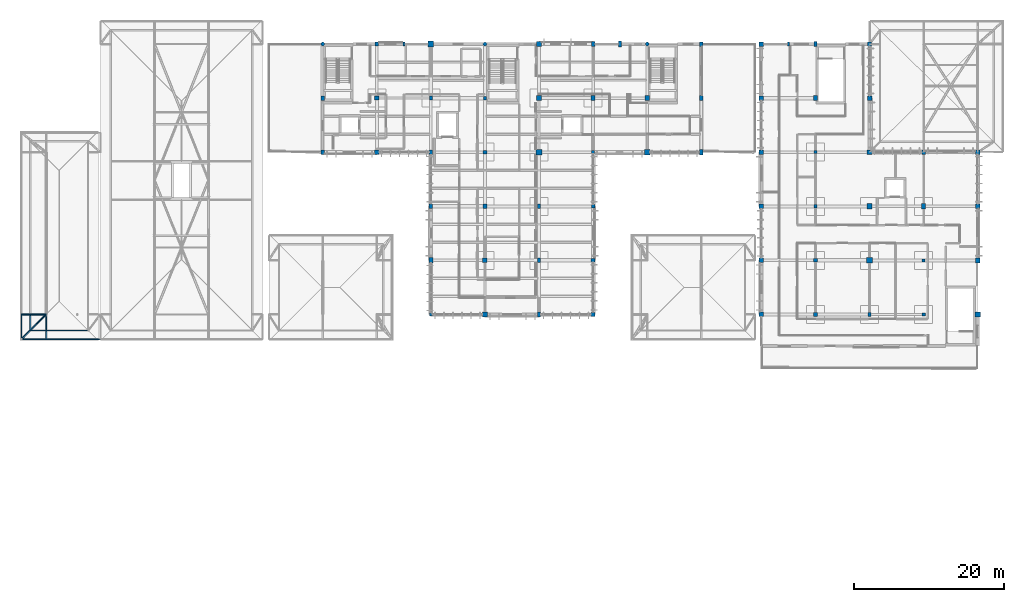
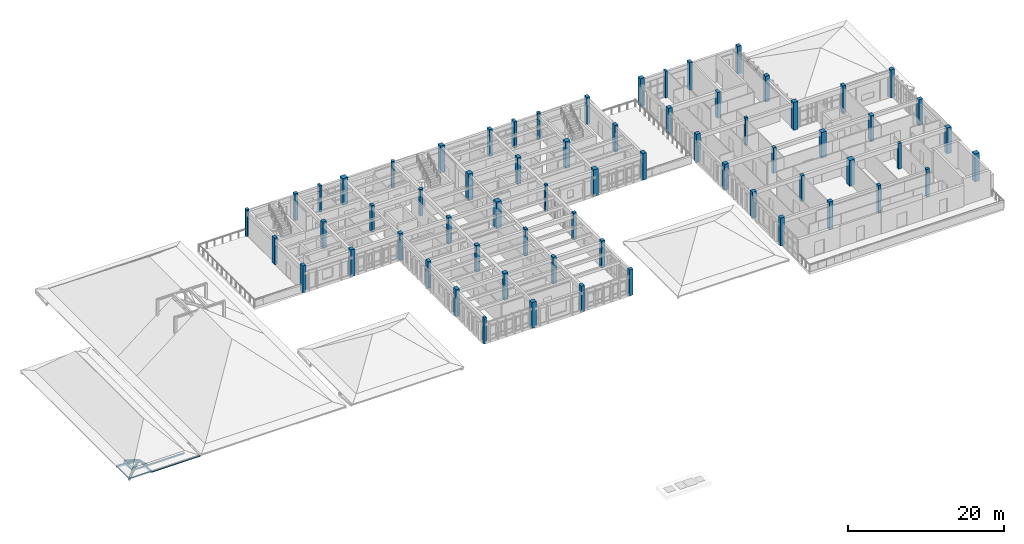
# One storey, part 1 of 51: 65 columns, 12 members.
"""IFC4 building model written with IfcOpenShell, lengths in metres."""

from ifc_helpers import new_model, si_unit, direction, frame, origin, origin_2d, place, context, subcontext, project, spatial, rectangle, hollow_rectangle, circle, i_section, extrude, material, material_profile, profile_set, type_object, element, save


model = new_model("IFC4")

# Units and contexts
model_context = context("Model", 3, precision=1e-05, world=origin(), true_north=direction((0.0, 1.0)))
body_context = subcontext(model_context, "Body", "Model", "MODEL_VIEW")
ifc_project = project(units=[si_unit("LENGTHUNIT", "METRE"), si_unit("AREAUNIT", "SQUARE_METRE"), si_unit("VOLUMEUNIT", "CUBIC_METRE"), si_unit("PLANEANGLEUNIT", "RADIAN"), si_unit("MASSUNIT", "GRAM", prefix="KILO")], contexts=[model_context])

# Site, building, storey
site_placement = place(None, origin())
site = spatial("IfcSite", under=ifc_project, at=site_placement, CompositionType="ELEMENT")
building_placement = place(site_placement, origin())
building = spatial("IfcBuilding", under=site, at=building_placement, Name="Steenspoor Specialist Clinic", CompositionType="ELEMENT")
storey_placement = place(building_placement, frame((0.0, 0.0, 17.39990234375)))
storey = spatial("IfcBuildingStorey", under=building, at=storey_placement, Name="L04", CompositionType="ELEMENT", Elevation=17.39990234375)

# Columns
ifc_material_1 = material(Name="Concrete C40/50", Category="concrete")
ifc_material_profile_1 = material_profile(ifc_material_1, rectangle(XDim=0.39990234375, YDim=0.39990234375, at=origin_2d()), Name="RC-COL-400X400")
ifc_profile_set_1 = profile_set([ifc_material_profile_1], Name="Concrete C40/50")
column_type_1 = type_object("IfcColumnType", Name="COL-RC-400", PredefinedType="COLUMN", material=ifc_profile_set_1)
column_1_placement = place(storey_placement, frame((74.0, 72.35009765625, 0.0), z_axis=(0.0, 0.0, 1.0), x_axis=(1.0, 0.0, 0.0)))
element("IfcColumn", 1, at=column_1_placement, inside=storey, type_object=column_type_1, Name="Column COL-L04-0275", PredefinedType="COLUMN", context=body_context, shape_type="SweptSolid", body=[
    extrude(rectangle(XDim=0.39990234375, YDim=0.39990234375, at=origin_2d()), origin(), (0.0, 0.0, 1.0), 4.050048828125),
])
column_2_placement = place(storey_placement, frame((95.60009765625, 93.949951171875, 0.0), z_axis=(0.0, 0.0, 1.0), x_axis=(1.0, 0.0, 0.0)))
element("IfcColumn", 2, at=column_2_placement, inside=storey, type_object=column_type_1, Name="Column COL-L04-0403", PredefinedType="COLUMN", context=body_context, shape_type="SweptSolid", body=[
    extrude(rectangle(XDim=0.39990234375, YDim=0.39990234375, at=origin_2d()), origin(), (0.0, 0.0, 1.0), 4.2001953125),
])
column_3_placement = place(storey_placement, frame((125.199951171875, 93.949951171875, 0.0), z_axis=(0.0, 0.0, 1.0), x_axis=(1.0, 0.0, 0.0)))
element("IfcColumn", 3, at=column_3_placement, inside=storey, type_object=column_type_1, Name="Column COL-L04-0700", PredefinedType="COLUMN", context=body_context, shape_type="SweptSolid", body=[
    extrude(rectangle(XDim=0.39990234375, YDim=0.39990234375, at=origin_2d()), origin(), (0.0, 0.0, 1.0), 4.360107421875),
])
column_4_placement = place(storey_placement, frame((139.60009765625, 79.550048828125, 0.0), z_axis=(0.0, 0.0, 1.0), x_axis=(1.0, 0.0, 0.0)))
element("IfcColumn", 4, at=column_4_placement, inside=storey, type_object=column_type_1, Name="Column COL-L04-0758", PredefinedType="COLUMN", context=body_context, shape_type="SweptSolid", body=[
    extrude(rectangle(XDim=0.39990234375, YDim=0.39990234375, at=origin_2d()), origin(), (0.0, 0.0, 1.0), 4.050048828125),
])
ifc_material_profile_2 = material_profile(ifc_material_1, rectangle(XDim=0.39990234375, YDim=0.550048828125, at=origin_2d()), Name="RC-COL-400X550")
ifc_profile_set_2 = profile_set([ifc_material_profile_2], Name="Concrete C40/50")
column_type_2 = type_object("IfcColumnType", Name="COL-RC-400X550", PredefinedType="COLUMN", material=ifc_profile_set_2)
for number, where, z_axis, x_axis, name in (
    (5, (74.0, 101.14990234375, 0.0), (0.0, 0.0, 1.0), (1.0, 0.0, 0.0), "Column COL-L04-0298"),
    (6, (88.39990234375, 86.75, 0.0), (0.0, 0.0, 1.0), (1.0, 0.0, 0.0), "Column COL-L04-0360"),
):
    element("IfcColumn", number, at=place(storey_placement, frame(where, z_axis=z_axis, x_axis=x_axis)), inside=storey, type_object=column_type_2, Name=name, PredefinedType="COLUMN", context=body_context, shape_type="SweptSolid", body=[
        extrude(rectangle(XDim=0.39990234375, YDim=0.550048828125, at=origin_2d()), origin(), (0.0, 0.0, 1.0), 4.2001953125),
    ])
column_5_placement = place(storey_placement, frame((132.39990234375, 72.35009765625, 0.0), z_axis=(0.0, 0.0, 1.0), x_axis=(1.0, 0.0, 0.0)))
element("IfcColumn", 7, at=column_5_placement, inside=storey, type_object=column_type_2, Name="Column COL-L04-0719", PredefinedType="COLUMN", context=body_context, shape_type="SweptSolid", body=[
    extrude(rectangle(XDim=0.39990234375, YDim=0.550048828125, at=origin_2d()), origin(), (0.0, 0.0, 1.0), 4.360107421875),
])
ifc_material_profile_3 = material_profile(ifc_material_1, rectangle(XDim=0.449951171875, YDim=0.449951171875, at=origin_2d()), Name="RC-COL-450X450")
ifc_profile_set_3 = profile_set([ifc_material_profile_3], Name="Concrete C40/50")
column_type_3 = type_object("IfcColumnType", Name="COL-RC-450", PredefinedType="COLUMN", material=ifc_profile_set_3)
for number, where, z_axis, x_axis, name in (
    (8, (81.199951171875, 101.14990234375, 0.0), (0.0, 0.0, 1.0), (1.0, 0.0, 0.0), "Column COL-L04-0335"),
    (9, (95.60009765625, 86.75, 0.0), (0.0, 0.0, 1.0), (1.0, 0.0, 0.0), "Column COL-L04-0397"),
):
    element("IfcColumn", number, at=place(storey_placement, frame(where, z_axis=z_axis, x_axis=x_axis)), inside=storey, type_object=column_type_3, Name=name, PredefinedType="COLUMN", context=body_context, shape_type="SweptSolid", body=[
        extrude(rectangle(XDim=0.449951171875, YDim=0.449951171875, at=origin_2d()), origin(), (0.0, 0.0, 1.0), 4.2001953125),
    ])
column_6_placement = place(storey_placement, frame((125.199951171875, 86.75, 0.0), z_axis=(0.0, 0.0, 1.0), x_axis=(1.0, 0.0, 0.0)))
element("IfcColumn", 10, at=column_6_placement, inside=storey, type_object=column_type_3, Name="Column COL-L04-0695", PredefinedType="COLUMN", context=body_context, shape_type="SweptSolid", body=[
    extrude(rectangle(XDim=0.449951171875, YDim=0.449951171875, at=origin_2d()), origin(), (0.0, 0.0, 1.0), 4.050048828125),
])
column_7_placement = place(storey_placement, frame((139.60009765625, 72.35009765625, 0.0), z_axis=(0.0, 0.0, 1.0), x_axis=(1.0, 0.0, 0.0)))
element("IfcColumn", 11, at=column_7_placement, inside=storey, type_object=column_type_3, Name="Column COL-L04-0753", PredefinedType="COLUMN", context=body_context, shape_type="SweptSolid", body=[
    extrude(rectangle(XDim=0.449951171875, YDim=0.449951171875, at=origin_2d()), origin(), (0.0, 0.0, 1.0), 4.360107421875),
])
ifc_material_profile_4 = material_profile(ifc_material_1, rectangle(XDim=0.449951171875, YDim=0.60009765625, at=origin_2d()), Name="RC-COL-450X600")
ifc_profile_set_4 = profile_set([ifc_material_profile_4], Name="Concrete C40/50")
column_type_4 = type_object("IfcColumnType", Name="COL-RC-450X600", PredefinedType="COLUMN", material=ifc_profile_set_4)
for number, where, z_axis, x_axis, name in (
    (12, (59.60009765625, 101.14990234375, 0.0), (0.0, 0.0, 1.0), (1.0, 0.0, 0.0), "Column COL-L04-0232"),
    (13, (74.0, 93.949951171875, 0.0), (0.0, 0.0, 1.0), (1.0, 0.0, 0.0), "Column COL-L04-0292"),
    (14, (88.39990234375, 79.550048828125, 0.0), (0.0, 0.0, 1.0), (1.0, 0.0, 0.0), "Column COL-L04-0354"),
    (15, (110.0, 108.35009765625, 0.0), (0.0, 0.0, 1.0), (1.0, 0.0, 0.0), "Column COL-L04-0477"),
):
    element("IfcColumn", number, at=place(storey_placement, frame(where, z_axis=z_axis, x_axis=x_axis)), inside=storey, type_object=column_type_4, Name=name, PredefinedType="COLUMN", context=body_context, shape_type="SweptSolid", body=[
        extrude(rectangle(XDim=0.449951171875, YDim=0.60009765625, at=origin_2d()), origin(), (0.0, 0.0, 1.0), 4.2001953125),
    ])
ifc_material_profile_5 = material_profile(ifc_material_1, rectangle(XDim=0.449951171875, YDim=0.64990234375, at=origin_2d()), Name="RC-COL-450X650")
ifc_profile_set_5 = profile_set([ifc_material_profile_5], Name="Concrete C40/50")
column_type_5 = type_object("IfcColumnType", Name="COL-RC-450X650", PredefinedType="COLUMN", material=ifc_profile_set_5)
for number, where, z_axis, x_axis, name in (
    (16, (59.60009765625, 93.949951171875, 0.0), (0.0, 0.0, 1.0), (1.0, 0.0, 0.0), "Column COL-L04-0226"),
    (17, (74.0, 86.75, 0.0), (0.0, 0.0, 1.0), (1.0, 0.0, 0.0), "Column COL-L04-0286"),
):
    element("IfcColumn", number, at=place(storey_placement, frame(where, z_axis=z_axis, x_axis=x_axis)), inside=storey, type_object=column_type_5, Name=name, PredefinedType="COLUMN", context=body_context, shape_type="SweptSolid", body=[
        extrude(rectangle(XDim=0.449951171875, YDim=0.64990234375, at=origin_2d()), origin(), (0.0, 0.0, 1.0), 4.2001953125),
    ])
column_8_placement = place(storey_placement, frame((88.39990234375, 72.35009765625, 0.0), z_axis=(0.0, 0.0, 1.0), x_axis=(1.0, 0.0, 0.0)))
element("IfcColumn", 18, at=column_8_placement, inside=storey, type_object=column_type_5, Name="Column COL-L04-0349", PredefinedType="COLUMN", context=body_context, shape_type="SweptSolid", body=[
    extrude(rectangle(XDim=0.449951171875, YDim=0.64990234375, at=origin_2d()), origin(), (0.0, 0.0, 1.0), 4.050048828125),
])
for number, where, z_axis, x_axis, name in (
    (19, (95.60009765625, 108.35009765625, 0.0), (0.0, 0.0, 1.0), (1.0, 0.0, 0.0), "Column COL-L04-0415"),
    (20, (110.0, 101.14990234375, 0.0), (0.0, 0.0, 1.0), (1.0, 0.0, 0.0), "Column COL-L04-0471"),
):
    element("IfcColumn", number, at=place(storey_placement, frame(where, z_axis=z_axis, x_axis=x_axis)), inside=storey, type_object=column_type_5, Name=name, PredefinedType="COLUMN", context=body_context, shape_type="SweptSolid", body=[
        extrude(rectangle(XDim=0.449951171875, YDim=0.64990234375, at=origin_2d()), origin(), (0.0, 0.0, 1.0), 4.2001953125),
    ])
for number, where, z_axis, x_axis, name in (
    (21, (125.199951171875, 108.35009765625, 0.0), (0.0, 0.0, 1.0), (1.0, 0.0, 0.0), "Column COL-L04-0710"),
    (22, (139.60009765625, 93.949951171875, 0.0), (0.0, 0.0, 1.0), (1.0, 0.0, 0.0), "Column COL-L04-0768"),
):
    element("IfcColumn", number, at=place(storey_placement, frame(where, z_axis=z_axis, x_axis=x_axis)), inside=storey, type_object=column_type_5, Name=name, PredefinedType="COLUMN", context=body_context, shape_type="SweptSolid", body=[
        extrude(rectangle(XDim=0.449951171875, YDim=0.64990234375, at=origin_2d()), origin(), (0.0, 0.0, 1.0), 4.360107421875),
    ])
ifc_material_profile_6 = material_profile(ifc_material_1, rectangle(XDim=0.5, YDim=0.5, at=origin_2d()), Name="RC-COL-500X500")
ifc_profile_set_6 = profile_set([ifc_material_profile_6], Name="Concrete C40/50")
column_type_6 = type_object("IfcColumnType", Name="COL-RC-500", PredefinedType="COLUMN", material=ifc_profile_set_6)
for number, where, z_axis, x_axis, name in (
    (23, (66.800048828125, 108.35009765625, 0.0), (0.0, 0.0, 1.0), (1.0, 0.0, 0.0), "Column COL-L04-0267"),
    (24, (81.199951171875, 93.949951171875, 0.0), (0.0, 0.0, 1.0), (1.0, 0.0, 0.0), "Column COL-L04-0329"),
    (25, (95.60009765625, 79.550048828125, 0.0), (0.0, 0.0, 1.0), (1.0, 0.0, 0.0), "Column COL-L04-0391"),
):
    element("IfcColumn", number, at=place(storey_placement, frame(where, z_axis=z_axis, x_axis=x_axis)), inside=storey, type_object=column_type_6, Name=name, PredefinedType="COLUMN", context=body_context, shape_type="SweptSolid", body=[
        extrude(rectangle(XDim=0.5, YDim=0.5, at=origin_2d()), origin(), (0.0, 0.0, 1.0), 4.2001953125),
    ])
column_9_placement = place(storey_placement, frame((125.199951171875, 79.550048828125, 0.0), z_axis=(0.0, 0.0, 1.0), x_axis=(1.0, 0.0, 0.0)))
element("IfcColumn", 26, at=column_9_placement, inside=storey, type_object=column_type_6, Name="Column COL-L04-0690", PredefinedType="COLUMN", context=body_context, shape_type="SweptSolid", body=[
    extrude(rectangle(XDim=0.5, YDim=0.5, at=origin_2d()), origin(), (0.0, 0.0, 1.0), 4.050048828125),
])
ifc_material_profile_7 = material_profile(ifc_material_1, rectangle(XDim=0.5, YDim=0.699951171875, at=origin_2d()), Name="RC-COL-500X700")
ifc_profile_set_7 = profile_set([ifc_material_profile_7], Name="Concrete C40/50")
column_type_7 = type_object("IfcColumnType", Name="COL-RC-500X700", PredefinedType="COLUMN", material=ifc_profile_set_7)
for number, where, z_axis, x_axis, name in (
    (27, (74.0, 79.550048828125, 0.0), (0.0, 0.0, 1.0), (1.0, 0.0, 0.0), "Column COL-L04-0280"),
    (28, (95.60009765625, 101.14990234375, 0.0), (0.0, 0.0, 1.0), (1.0, 0.0, 0.0), "Column COL-L04-0409"),
    (29, (110.0, 93.949951171875, 0.0), (0.0, 0.0, 1.0), (1.0, 0.0, 0.0), "Column COL-L04-0465"),
):
    element("IfcColumn", number, at=place(storey_placement, frame(where, z_axis=z_axis, x_axis=x_axis)), inside=storey, type_object=column_type_7, Name=name, PredefinedType="COLUMN", context=body_context, shape_type="SweptSolid", body=[
        extrude(rectangle(XDim=0.5, YDim=0.699951171875, at=origin_2d()), origin(), (0.0, 0.0, 1.0), 4.2001953125),
    ])
for number, where, z_axis, x_axis, name in (
    (30, (125.199951171875, 101.14990234375, 0.0), (0.0, 0.0, 1.0), (1.0, 0.0, 0.0), "Column COL-L04-0705"),
    (31, (139.60009765625, 86.75, 0.0), (0.0, 0.0, 1.0), (1.0, 0.0, 0.0), "Column COL-L04-0763"),
):
    element("IfcColumn", number, at=place(storey_placement, frame(where, z_axis=z_axis, x_axis=x_axis)), inside=storey, type_object=column_type_7, Name=name, PredefinedType="COLUMN", context=body_context, shape_type="SweptSolid", body=[
        extrude(rectangle(XDim=0.5, YDim=0.699951171875, at=origin_2d()), origin(), (0.0, 0.0, 1.0), 4.050048828125),
    ])
ifc_material_profile_8 = material_profile(ifc_material_1, rectangle(XDim=0.550048828125, YDim=0.550048828125, at=origin_2d()), Name="RC-COL-550X550")
ifc_profile_set_8 = profile_set([ifc_material_profile_8], Name="Concrete C40/50")
column_type_8 = type_object("IfcColumnType", Name="COL-RC-550", PredefinedType="COLUMN", material=ifc_profile_set_8)
for number, where, z_axis, x_axis, name in (
    (32, (66.800048828125, 101.14990234375, 0.0), (0.0, 0.0, 1.0), (1.0, 0.0, 0.0), "Column COL-L04-0261"),
    (33, (81.199951171875, 86.75, 0.0), (0.0, 0.0, 1.0), (1.0, 0.0, 0.0), "Column COL-L04-0323"),
):
    element("IfcColumn", number, at=place(storey_placement, frame(where, z_axis=z_axis, x_axis=x_axis)), inside=storey, type_object=column_type_8, Name=name, PredefinedType="COLUMN", context=body_context, shape_type="SweptSolid", body=[
        extrude(rectangle(XDim=0.550048828125, YDim=0.550048828125, at=origin_2d()), origin(), (0.0, 0.0, 1.0), 4.2001953125),
    ])
column_10_placement = place(storey_placement, frame((95.60009765625, 72.35009765625, 0.0), z_axis=(0.0, 0.0, 1.0), x_axis=(1.0, 0.0, 0.0)))
element("IfcColumn", 34, at=column_10_placement, inside=storey, type_object=column_type_8, Name="Column COL-L04-0386", PredefinedType="COLUMN", context=body_context, shape_type="SweptSolid", body=[
    extrude(rectangle(XDim=0.550048828125, YDim=0.550048828125, at=origin_2d()), origin(), (0.0, 0.0, 1.0), 4.050048828125),
])
for number, where, z_axis, x_axis, name in (
    (35, (125.199951171875, 72.35009765625, 0.0), (0.0, 0.0, 1.0), (1.0, 0.0, 0.0), "Column COL-L04-0685"),
    (36, (132.39990234375, 108.35009765625, 0.0), (0.0, 0.0, 1.0), (1.0, 0.0, 0.0), "Column COL-L04-0744"),
    (37, (146.800048828125, 93.949951171875, 0.0), (0.0, 0.0, 1.0), (1.0, 0.0, 0.0), "Column COL-L04-0800"),
):
    element("IfcColumn", number, at=place(storey_placement, frame(where, z_axis=z_axis, x_axis=x_axis)), inside=storey, type_object=column_type_8, Name=name, PredefinedType="COLUMN", context=body_context, shape_type="SweptSolid", body=[
        extrude(rectangle(XDim=0.550048828125, YDim=0.550048828125, at=origin_2d()), origin(), (0.0, 0.0, 1.0), 4.360107421875),
    ])
ifc_material_profile_9 = material_profile(ifc_material_1, rectangle(XDim=0.60009765625, YDim=0.60009765625, at=origin_2d()), Name="RC-COL-600X600")
ifc_profile_set_9 = profile_set([ifc_material_profile_9], Name="Concrete C40/50")
column_type_9 = type_object("IfcColumnType", Name="COL-RC-600", PredefinedType="COLUMN", material=ifc_profile_set_9)
for number, where, z_axis, x_axis, name in (
    (38, (66.800048828125, 93.949951171875, 0.0), (0.0, 0.0, 1.0), (1.0, 0.0, 0.0), "Column COL-L04-0255"),
    (39, (81.199951171875, 79.550048828125, 0.0), (0.0, 0.0, 1.0), (1.0, 0.0, 0.0), "Column COL-L04-0317"),
):
    element("IfcColumn", number, at=place(storey_placement, frame(where, z_axis=z_axis, x_axis=x_axis)), inside=storey, type_object=column_type_9, Name=name, PredefinedType="COLUMN", context=body_context, shape_type="SweptSolid", body=[
        extrude(rectangle(XDim=0.60009765625, YDim=0.60009765625, at=origin_2d()), origin(), (0.0, 0.0, 1.0), 4.2001953125),
    ])
column_11_placement = place(storey_placement, frame((118.0, 72.35009765625, 0.0), z_axis=(0.0, 0.0, 1.0), x_axis=(1.0, 0.0, 0.0)))
element("IfcColumn", 40, at=column_11_placement, inside=storey, type_object=column_type_9, Name="Column COL-L04-0651", PredefinedType="COLUMN", context=body_context, shape_type="SweptSolid", body=[
    extrude(rectangle(XDim=0.60009765625, YDim=0.60009765625, at=origin_2d()), origin(), (0.0, 0.0, 1.0), 4.360107421875),
])
for number, where, z_axis, x_axis, name in (
    (41, (118.0, 79.550048828125, 0.0), (0.0, 0.0, 1.0), (1.0, 0.0, 0.0), "Column COL-L04-0656"),
    (42, (118.0, 86.75, 0.0), (0.0, 0.0, 1.0), (1.0, 0.0, 0.0), "Column COL-L04-0661"),
):
    element("IfcColumn", number, at=place(storey_placement, frame(where, z_axis=z_axis, x_axis=x_axis)), inside=storey, type_object=column_type_9, Name=name, PredefinedType="COLUMN", context=body_context, shape_type="SweptSolid", body=[
        extrude(rectangle(XDim=0.60009765625, YDim=0.60009765625, at=origin_2d()), origin(), (0.0, 0.0, 1.0), 4.050048828125),
    ])
column_12_placement = place(storey_placement, frame((118.0, 93.949951171875, 0.0), z_axis=(0.0, 0.0, 1.0), x_axis=(1.0, 0.0, 0.0)))
element("IfcColumn", 43, at=column_12_placement, inside=storey, type_object=column_type_9, Name="Column COL-L04-0666", PredefinedType="COLUMN", context=body_context, shape_type="SweptSolid", body=[
    extrude(rectangle(XDim=0.60009765625, YDim=0.60009765625, at=origin_2d()), origin(), (0.0, 0.0, 1.0), 4.360107421875),
])
column_13_placement = place(storey_placement, frame((118.0, 101.14990234375, 0.0), z_axis=(0.0, 0.0, 1.0), x_axis=(1.0, 0.0, 0.0)))
element("IfcColumn", 44, at=column_13_placement, inside=storey, type_object=column_type_9, Name="Column COL-L04-0671", PredefinedType="COLUMN", context=body_context, shape_type="SweptSolid", body=[
    extrude(rectangle(XDim=0.60009765625, YDim=0.60009765625, at=origin_2d()), origin(), (0.0, 0.0, 1.0), 4.050048828125),
])
column_14_placement = place(storey_placement, frame((118.0, 108.35009765625, 0.0), z_axis=(0.0, 0.0, 1.0), x_axis=(1.0, 0.0, 0.0)))
element("IfcColumn", 45, at=column_14_placement, inside=storey, type_object=column_type_9, Name="Column COL-L04-0676", PredefinedType="COLUMN", context=body_context, shape_type="SweptSolid", body=[
    extrude(rectangle(XDim=0.60009765625, YDim=0.60009765625, at=origin_2d()), origin(), (0.0, 0.0, 1.0), 4.360107421875),
])
for number, where, z_axis, x_axis, name in (
    (46, (132.39990234375, 101.14990234375, 0.0), (0.0, 0.0, 1.0), (1.0, 0.0, 0.0), "Column COL-L04-0739"),
    (47, (146.800048828125, 86.75, 0.0), (0.0, 0.0, 1.0), (1.0, 0.0, 0.0), "Column COL-L04-0795"),
):
    element("IfcColumn", number, at=place(storey_placement, frame(where, z_axis=z_axis, x_axis=x_axis)), inside=storey, type_object=column_type_9, Name=name, PredefinedType="COLUMN", context=body_context, shape_type="SweptSolid", body=[
        extrude(rectangle(XDim=0.60009765625, YDim=0.60009765625, at=origin_2d()), origin(), (0.0, 0.0, 1.0), 4.050048828125),
    ])
ifc_material_profile_10 = material_profile(ifc_material_1, rectangle(XDim=0.64990234375, YDim=0.64990234375, at=origin_2d()), Name="RC-COL-650X650")
ifc_profile_set_10 = profile_set([ifc_material_profile_10], Name="Concrete C40/50")
column_type_10 = type_object("IfcColumnType", Name="COL-RC-650", PredefinedType="COLUMN", material=ifc_profile_set_10)
column_15_placement = place(storey_placement, frame((81.199951171875, 72.35009765625, 0.0), z_axis=(0.0, 0.0, 1.0), x_axis=(1.0, 0.0, 0.0)))
element("IfcColumn", 48, at=column_15_placement, inside=storey, type_object=column_type_10, Name="Column COL-L04-0312", PredefinedType="COLUMN", context=body_context, shape_type="SweptSolid", body=[
    extrude(rectangle(XDim=0.64990234375, YDim=0.64990234375, at=origin_2d()), origin(), (0.0, 0.0, 1.0), 4.050048828125),
])
for number, where, z_axis, x_axis, name in (
    (49, (88.39990234375, 108.35009765625, 0.0), (0.0, 0.0, 1.0), (1.0, 0.0, 0.0), "Column COL-L04-0378"),
    (50, (102.800048828125, 101.14990234375, 0.0), (0.0, 0.0, 1.0), (1.0, 0.0, 0.0), "Column COL-L04-0438"),
):
    element("IfcColumn", number, at=place(storey_placement, frame(where, z_axis=z_axis, x_axis=x_axis)), inside=storey, type_object=column_type_10, Name=name, PredefinedType="COLUMN", context=body_context, shape_type="SweptSolid", body=[
        extrude(rectangle(XDim=0.64990234375, YDim=0.64990234375, at=origin_2d()), origin(), (0.0, 0.0, 1.0), 4.2001953125),
    ])
column_16_placement = place(storey_placement, frame((132.39990234375, 93.949951171875, 0.0), z_axis=(0.0, 0.0, 1.0), x_axis=(1.0, 0.0, 0.0)))
element("IfcColumn", 51, at=column_16_placement, inside=storey, type_object=column_type_10, Name="Column COL-L04-0734", PredefinedType="COLUMN", context=body_context, shape_type="SweptSolid", body=[
    extrude(rectangle(XDim=0.64990234375, YDim=0.64990234375, at=origin_2d()), origin(), (0.0, 0.0, 1.0), 4.360107421875),
])
column_17_placement = place(storey_placement, frame((146.800048828125, 79.550048828125, 0.0), z_axis=(0.0, 0.0, 1.0), x_axis=(1.0, 0.0, 0.0)))
element("IfcColumn", 52, at=column_17_placement, inside=storey, type_object=column_type_10, Name="Column COL-L04-0790", PredefinedType="COLUMN", context=body_context, shape_type="SweptSolid", body=[
    extrude(rectangle(XDim=0.64990234375, YDim=0.64990234375, at=origin_2d()), origin(), (0.0, 0.0, 1.0), 4.050048828125),
])
ifc_material_profile_11 = material_profile(ifc_material_1, rectangle(XDim=0.699951171875, YDim=0.699951171875, at=origin_2d()), Name="RC-COL-700X700")
ifc_profile_set_11 = profile_set([ifc_material_profile_11], Name="Concrete C40/50")
column_type_11 = type_object("IfcColumnType", Name="COL-RC-700", PredefinedType="COLUMN", material=ifc_profile_set_11)
for number, where, z_axis, x_axis, name in (
    (53, (88.39990234375, 101.14990234375, 0.0), (0.0, 0.0, 1.0), (1.0, 0.0, 0.0), "Column COL-L04-0372"),
    (54, (102.800048828125, 93.949951171875, 0.0), (0.0, 0.0, 1.0), (1.0, 0.0, 0.0), "Column COL-L04-0432"),
):
    element("IfcColumn", number, at=place(storey_placement, frame(where, z_axis=z_axis, x_axis=x_axis)), inside=storey, type_object=column_type_11, Name=name, PredefinedType="COLUMN", context=body_context, shape_type="SweptSolid", body=[
        extrude(rectangle(XDim=0.699951171875, YDim=0.699951171875, at=origin_2d()), origin(), (0.0, 0.0, 1.0), 4.2001953125),
    ])
column_18_placement = place(storey_placement, frame((132.39990234375, 86.75, 0.0), z_axis=(0.0, 0.0, 1.0), x_axis=(1.0, 0.0, 0.0)))
element("IfcColumn", 55, at=column_18_placement, inside=storey, type_object=column_type_11, Name="Column COL-L04-0729", PredefinedType="COLUMN", context=body_context, shape_type="SweptSolid", body=[
    extrude(rectangle(XDim=0.699951171875, YDim=0.699951171875, at=origin_2d()), origin(), (0.0, 0.0, 1.0), 4.050048828125),
])
column_19_placement = place(storey_placement, frame((146.800048828125, 72.35009765625, 0.0), z_axis=(0.0, 0.0, 1.0), x_axis=(1.0, 0.0, 0.0)))
element("IfcColumn", 56, at=column_19_placement, inside=storey, type_object=column_type_11, Name="Column COL-L04-0785", PredefinedType="COLUMN", context=body_context, shape_type="SweptSolid", body=[
    extrude(rectangle(XDim=0.699951171875, YDim=0.699951171875, at=origin_2d()), origin(), (0.0, 0.0, 1.0), 4.360107421875),
])
ifc_material_profile_12 = material_profile(ifc_material_1, rectangle(XDim=0.75, YDim=0.75, at=origin_2d()), Name="RC-COL-750X750")
ifc_profile_set_12 = profile_set([ifc_material_profile_12], Name="Concrete C40/50")
column_type_12 = type_object("IfcColumnType", Name="COL-RC-750", PredefinedType="COLUMN", material=ifc_profile_set_12)
for number, where, z_axis, x_axis, name in (
    (57, (74.0, 108.35009765625, 0.0), (0.0, 0.0, 1.0), (1.0, 0.0, 0.0), "Column COL-L04-0304"),
    (58, (88.39990234375, 93.949951171875, 0.0), (0.0, 0.0, 1.0), (1.0, 0.0, 0.0), "Column COL-L04-0366"),
):
    element("IfcColumn", number, at=place(storey_placement, frame(where, z_axis=z_axis, x_axis=x_axis)), inside=storey, type_object=column_type_12, Name=name, PredefinedType="COLUMN", context=body_context, shape_type="SweptSolid", body=[
        extrude(rectangle(XDim=0.75, YDim=0.75, at=origin_2d()), origin(), (0.0, 0.0, 1.0), 4.2001953125),
    ])
column_20_placement = place(storey_placement, frame((132.39990234375, 79.550048828125, 0.0), z_axis=(0.0, 0.0, 1.0), x_axis=(1.0, 0.0, 0.0)))
element("IfcColumn", 59, at=column_20_placement, inside=storey, type_object=column_type_12, Name="Column COL-L04-0724", PredefinedType="COLUMN", context=body_context, shape_type="SweptSolid", body=[
    extrude(rectangle(XDim=0.75, YDim=0.75, at=origin_2d()), origin(), (0.0, 0.0, 1.0), 4.050048828125),
])
ifc_material_profile_13 = material_profile(ifc_material_1, circle(Radius=0.25, at=origin_2d()), Name="RC-COL-D500")
ifc_profile_set_13 = profile_set([ifc_material_profile_13], Name="Concrete C40/50")
column_type_13 = type_object("IfcColumnType", Name="COL-RC-D500", PredefinedType="COLUMN", material=ifc_profile_set_13)
for number, where, z_axis, x_axis, name in (
    (60, (59.60009765625, 108.35009765625, 0.0), (0.0, 0.0, 1.0), (1.0, 0.0, 0.0), "Column COL-L04-0238"),
    (61, (81.199951171875, 108.35009765625, 0.0), (0.0, 0.0, 1.0), (1.0, 0.0, 0.0), "Column COL-L04-0341"),
    (62, (102.800048828125, 108.35009765625, 0.0), (0.0, 0.0, 1.0), (1.0, 0.0, 0.0), "Column COL-L04-0444"),
):
    element("IfcColumn", number, at=place(storey_placement, frame(where, z_axis=z_axis, x_axis=x_axis)), inside=storey, type_object=column_type_13, Name=name, PredefinedType="COLUMN", context=body_context, shape_type="SweptSolid", body=[
        extrude(circle(Radius=0.25, at=origin_2d()), origin(), (0.0, 0.0, 1.0), 4.2001953125),
    ])
ifc_material_profile_14 = material_profile(ifc_material_1, rectangle(XDim=0.280029296875, YDim=0.56005859375, at=origin_2d()), Name="RC-PIL-280X560")
ifc_profile_set_14 = profile_set([ifc_material_profile_14], Name="Concrete C40/50")
column_type_14 = type_object("IfcColumnType", Name="PIL-RC-280X560", PredefinedType="PILASTER", material=ifc_profile_set_14)
for number, where, z_axis, x_axis, name in (
    (63, (70.39990234375, 108.35009765625, 0.0), (0.0, 0.0, 1.0), (1.0, 0.0, 0.0), "Brick Pilaster PIL-L04-021"),
    (64, (121.60009765625, 108.35009765625, 0.0), (0.0, 0.0, 1.0), (1.0, 0.0, 0.0), "Brick Pilaster PIL-L04-041"),
):
    element("IfcColumn", number, at=place(storey_placement, frame(where, z_axis=z_axis, x_axis=x_axis)), inside=storey, type_object=column_type_14, Name=name, PredefinedType="PILASTER", context=body_context, shape_type="SweptSolid", body=[
        extrude(rectangle(XDim=0.280029296875, YDim=0.56005859375, at=origin_2d()), origin(), (0.0, 0.0, 1.0), 4.2001953125),
    ])
ifc_material_profile_15 = material_profile(ifc_material_1, rectangle(XDim=0.3798828125, YDim=0.760009765625, at=origin_2d()), Name="RC-PIL-380X760")
ifc_profile_set_15 = profile_set([ifc_material_profile_15], Name="Concrete C40/50")
column_type_15 = type_object("IfcColumnType", Name="PIL-RC-380X760", PredefinedType="PILASTER", material=ifc_profile_set_15)
column_21_placement = place(storey_placement, frame((99.199951171875, 108.35009765625, 0.0), z_axis=(0.0, 0.0, 1.0), x_axis=(1.0, 0.0, 0.0)))
element("IfcColumn", 65, at=column_21_placement, inside=storey, type_object=column_type_15, Name="Brick Pilaster PIL-L04-027", PredefinedType="PILASTER", context=body_context, shape_type="SweptSolid", body=[
    extrude(rectangle(XDim=0.3798828125, YDim=0.760009765625, at=origin_2d()), origin(), (0.0, 0.0, 1.0), 4.2001953125),
])

# Members
ifc_material_2 = material(Name="Steel A500 Grade C", Category="steel")
ifc_material_profile_16 = material_profile(ifc_material_2, hollow_rectangle(XDim=0.1015625, YDim=0.15234375, WallThickness=0.005859375, at=origin_2d()), Name="HSS152X102X6.4")
ifc_profile_set_16 = profile_set([ifc_material_profile_16], Name="Steel A500 Grade C")
member_type_1 = type_object("IfcMemberType", Name="MEM-PURLIN-H152", PredefinedType="PURLIN", material=ifc_profile_set_16)
member_1_placement = place(storey_placement, frame((19.5, 69.050048828125, -0.19482421875), z_axis=(1.0, 0.0, 0.0), x_axis=(0.0, 1.0, 0.0)))
element("IfcMember", 66, at=member_1_placement, inside=storey, type_object=member_type_1, Name="ROOF TRUSS Eave Fascia 451", PredefinedType="PURLIN", context=body_context, shape_type="SweptSolid", body=[
    extrude(hollow_rectangle(XDim=0.1015625, YDim=0.15234375, WallThickness=0.005859375, at=origin_2d()), origin(), (0.0, 0.0, 1.0), 3.300048828125),
])
member_2_placement = place(storey_placement, frame((22.800048828125, 69.050048828125, -0.305419921875), z_axis=(1.0, 0.0, 0.0), x_axis=(0.0, 1.0, 0.0)))
element("IfcMember", 67, at=member_2_placement, inside=storey, type_object=member_type_1, Name="ROOF TRUSS Eave Fascia 452", PredefinedType="PURLIN", context=body_context, shape_type="SweptSolid", body=[
    extrude(hollow_rectangle(XDim=0.1015625, YDim=0.15234375, WallThickness=0.005859375, at=origin_2d()), origin(), (0.0, 0.0, 1.0), 7.199951171875),
])
member_3_placement = place(storey_placement, frame((19.5, 69.050048828125, -0.19482421875), z_axis=(0.0, 1.0, 0.0), x_axis=(-1.0, 0.0, 0.0)))
element("IfcMember", 68, at=member_3_placement, inside=storey, type_object=member_type_1, Name="ROOF TRUSS Eave Fascia 455", PredefinedType="PURLIN", context=body_context, shape_type="SweptSolid", body=[
    extrude(hollow_rectangle(XDim=0.1015625, YDim=0.15234375, WallThickness=0.005859375, at=origin_2d()), origin(), (0.0, 0.0, 1.0), 3.300048828125),
])
ifc_material_3 = material(Name="Steel A992 Grade 50", Category="steel")
ifc_material_profile_17 = material_profile(ifc_material_3, i_section(OverallWidth=0.1650390625, OverallDepth=0.200927734375, WebThickness=0.006103515625, FlangeThickness=0.01025390625, at=origin_2d()), Name="W200X36")
ifc_profile_set_17 = profile_set([ifc_material_profile_17], Name="Steel A992 Grade 50")
member_type_2 = type_object("IfcMemberType", Name="MEM-PURLIN-W200", PredefinedType="PURLIN", material=ifc_profile_set_17)
member_4_placement = place(storey_placement, frame((20.64990234375, 70.199951171875, 0.015380859375), z_axis=(1.0, 0.0, 0.0), x_axis=(0.0, 1.0, 0.0)))
element("IfcMember", 69, at=member_4_placement, inside=storey, type_object=member_type_2, Name="ROOF TRUSS Knuckle Purlin 458", PredefinedType="PURLIN", context=body_context, shape_type="SweptSolid", body=[
    extrude(i_section(OverallWidth=0.1650390625, OverallDepth=0.200927734375, WebThickness=0.006103515625, FlangeThickness=0.01025390625, at=origin_2d()), origin(), (0.0, 0.0, 1.0), 2.150146484375),
])
member_5_placement = place(storey_placement, frame((22.800048828125, 70.199951171875, 0.015380859375), z_axis=(1.0, 0.0, 0.0), x_axis=(0.0, 1.0, 0.0)))
element("IfcMember", 70, at=member_5_placement, inside=storey, type_object=member_type_2, Name="ROOF TRUSS Knuckle Purlin 460", PredefinedType="PURLIN", context=body_context, shape_type="SweptSolid", body=[
    extrude(i_section(OverallWidth=0.1650390625, OverallDepth=0.200927734375, WebThickness=0.006103515625, FlangeThickness=0.01025390625, at=origin_2d()), origin(), (0.0, 0.0, 1.0), 5.570068359375),
])
member_6_placement = place(storey_placement, frame((20.64990234375, 70.199951171875, 0.015380859375), z_axis=(0.0, 1.0, 0.0), x_axis=(-1.0, 0.0, 0.0)))
element("IfcMember", 71, at=member_6_placement, inside=storey, type_object=member_type_2, Name="ROOF TRUSS Knuckle Purlin 462", PredefinedType="PURLIN", context=body_context, shape_type="SweptSolid", body=[
    extrude(i_section(OverallWidth=0.1650390625, OverallDepth=0.200927734375, WebThickness=0.006103515625, FlangeThickness=0.01025390625, at=origin_2d()), origin(), (0.0, 0.0, 1.0), 2.150146484375),
])
ifc_material_4 = material(Name="Glulam GL28h", Category="wood")
ifc_material_profile_18 = material_profile(ifc_material_4, rectangle(XDim=0.139892578125, YDim=0.219970703125, at=origin_2d()), Name="GL28H-140X220")
ifc_profile_set_18 = profile_set([ifc_material_profile_18], Name="Glulam GL28h")
member_type_3 = type_object("IfcMemberType", Name="MEM-RAFTER-GL220", PredefinedType="RAFTER", material=ifc_profile_set_18)
for number, where, z_axis, x_axis, name in (
    (72, (22.800048828125, 72.35009765625, -0.45751953125), (0.0, -0.959138013425, 0.282938635049), (1.0, 0.0, 0.0), "ROOF TRUSS Knuckle Rafter V5W 293"),
    (73, (22.800048828125, 72.35009765625, -0.45751953125), (-0.959138013425, 0.0, 0.282938635049), (0.0, -1.0, 0.0), "ROOF TRUSS Knuckle Rafter V5W 298"),
):
    element("IfcMember", number, at=place(storey_placement, frame(where, z_axis=z_axis, x_axis=x_axis)), inside=storey, type_object=member_type_3, Name=name, PredefinedType="RAFTER", context=body_context, shape_type="SweptSolid", body=[
        extrude(rectangle(XDim=0.139892578125, YDim=0.219970703125, at=origin_2d()), origin(), (0.0, 0.0, 1.0), 2.24169921875),
    ])
member_7_placement = place(storey_placement, frame((22.800048828125, 72.35009765625, -0.5), z_axis=(-0.690218849287, -0.690218849287, 0.217246128105), x_axis=(0.707106781187, -0.707106781187, 0.0)))
element("IfcMember", 74, at=member_7_placement, inside=storey, type_object=member_type_3, Name="ROOF TRUSS Corner Knuckle Rafter V5W 304", PredefinedType="RAFTER", context=body_context, shape_type="SweptSolid", body=[
    extrude(rectangle(XDim=0.139892578125, YDim=0.219970703125, at=origin_2d()), origin(), (0.0, 0.0, 1.0), 3.115234375),
])
ifc_material_profile_19 = material_profile(ifc_material_4, rectangle(XDim=0.159912109375, YDim=0.280029296875, at=origin_2d()), Name="GL28H-160X280")
ifc_profile_set_19 = profile_set([ifc_material_profile_19], Name="Glulam GL28h")
member_type_4 = type_object("IfcMemberType", Name="MEM-RAFTER-GL280", PredefinedType="RAFTER", material=ifc_profile_set_19)
for number, where, z_axis, x_axis, name in (
    (75, (22.800048828125, 72.35009765625, -0.5), (0.0, -0.997513468668, 0.070476093999), (1.0, 0.0, 0.0), "ROOF TRUSS Flared Eave Glulam Outrigger V5W 292"),
    (76, (22.800048828125, 72.35009765625, -0.5), (-0.997513468668, 0.0, 0.070476093999), (0.0, -1.0, 0.0), "ROOF TRUSS Flared Eave Glulam Outrigger V5W 297"),
):
    element("IfcMember", number, at=place(storey_placement, frame(where, z_axis=z_axis, x_axis=x_axis)), inside=storey, type_object=member_type_4, Name=name, PredefinedType="RAFTER", context=body_context, shape_type="SweptSolid", body=[
        extrude(rectangle(XDim=0.159912109375, YDim=0.280029296875, at=origin_2d()), origin(), (0.0, 0.0, 1.0), 3.308349609375),
    ])
ifc_material_profile_20 = material_profile(ifc_material_4, rectangle(XDim=0.179931640625, YDim=0.360107421875, at=origin_2d()), Name="GL28H-180X360")
ifc_profile_set_20 = profile_set([ifc_material_profile_20], Name="Glulam GL28h")
member_type_5 = type_object("IfcMemberType", Name="MEM-RAFTER-GL360", PredefinedType="RAFTER", material=ifc_profile_set_20)
member_8_placement = place(storey_placement, frame((22.800048828125, 72.35009765625, -0.5), z_axis=(-0.706509801958, -0.706509801958, 0.041082836749), x_axis=(0.707106781187, -0.707106781187, 0.0)))
element("IfcMember", 77, at=member_8_placement, inside=storey, type_object=member_type_5, Name="ROOF TRUSS Corner Hip Outrigger V5W 303", PredefinedType="RAFTER", context=body_context, shape_type="SweptSolid", body=[
    extrude(rectangle(XDim=0.179931640625, YDim=0.360107421875, at=origin_2d()), origin(), (0.0, 0.0, 1.0), 4.6708984375),
])

save(model, "model.ifc")
